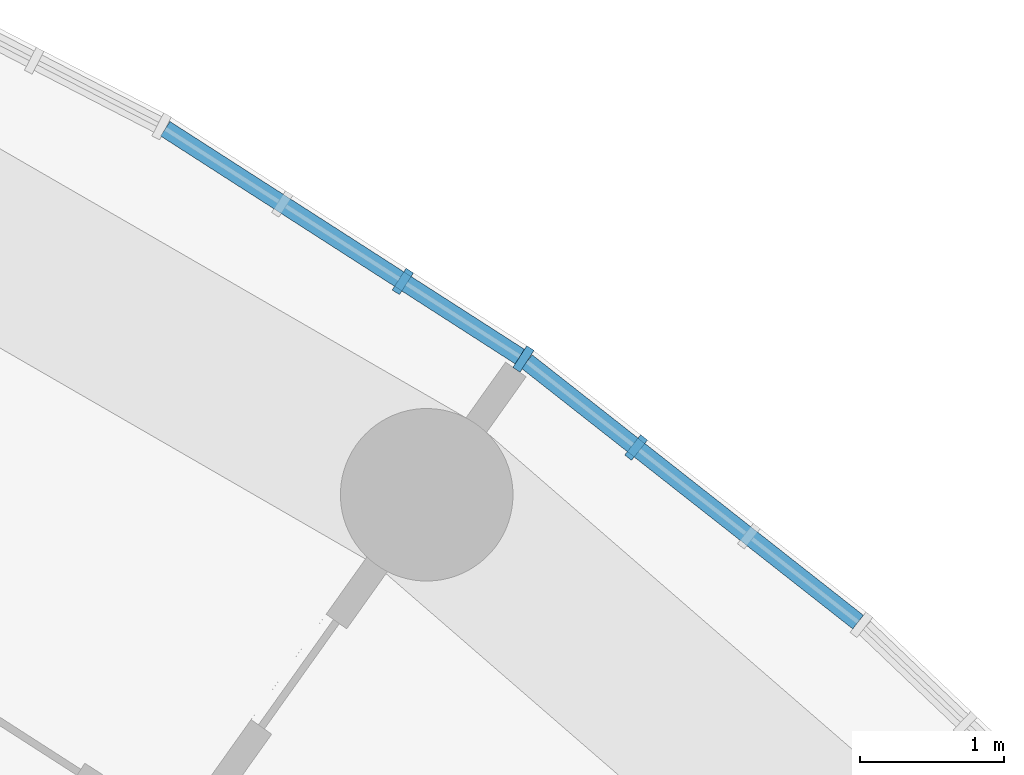
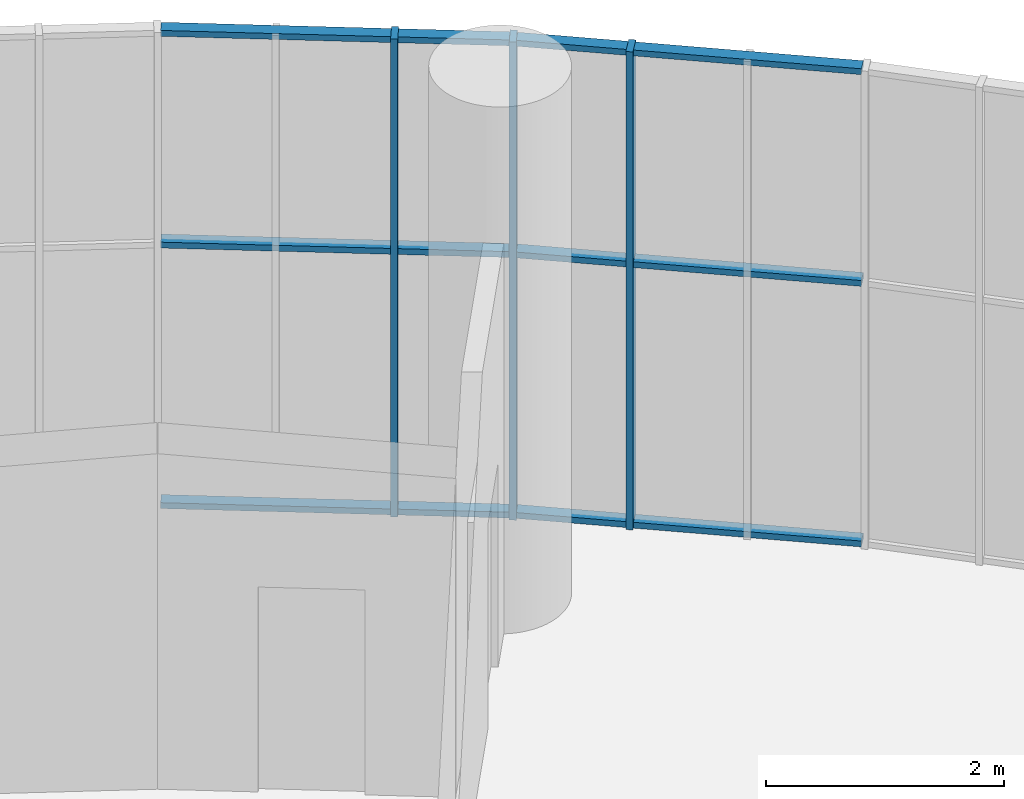
# One storey, part 11 of 27: 9 members, 2 elements without a shape of their own.
"""IFC4 building model written with IfcOpenShell, lengths in metres."""

from ifc_helpers import new_model, si_unit, direction, frame, origin, origin_2d, place, context, subcontext, project, spatial, rectangle, extrude, material, layer, layer_set, material_profile, profile_set, type_object, element, aggregate, save


model = new_model("IFC4")

# Units and contexts
model_context = context("Model", 3, precision=1e-05, world=origin(), true_north=direction((0.0, 1.0)))
body_context = subcontext(model_context, "Body", "Model", "MODEL_VIEW")
ifc_project = project(units=[si_unit("LENGTHUNIT", "METRE"), si_unit("AREAUNIT", "SQUARE_METRE"), si_unit("VOLUMEUNIT", "CUBIC_METRE"), si_unit("PLANEANGLEUNIT", "RADIAN"), si_unit("MASSUNIT", "GRAM", prefix="KILO")], contexts=[model_context])

# Site, building, storey
site_placement = place(None, origin())
site = spatial("IfcSite", under=ifc_project, at=site_placement, CompositionType="ELEMENT")
building_placement = place(site_placement, origin())
building = spatial("IfcBuilding", under=site, at=building_placement, Name="Tracery Tower", CompositionType="ELEMENT")
storey_placement = place(building_placement, frame((0.0, 0.0, 114.60009765625)))
storey = spatial("IfcBuildingStorey", under=building, at=storey_placement, Name="L29", CompositionType="ELEMENT", Elevation=114.60009765625)

# Curtain wall, member
ifc_material_1 = material(Name="Aluminium curtain wall with tinted glass", Category="aluminium")
ifc_layer = layer(ifc_material_1, 0.179931640625)
ifc_layer_set = layer_set([ifc_layer], Name="Sky lounge 1 tracery curtain wall")
curtain_wall_type = type_object("IfcCurtainWallType", Name="Sky lounge 1 tracery curtain wall", PredefinedType="NOTDEFINED", material=ifc_layer_set)
curtain_wall_1_placement = place(storey_placement, origin())
curtain_wall_1 = element("IfcCurtainWall", 1, at=curtain_wall_1_placement, inside=storey, type_object=curtain_wall_type, Name="Sky lounge 1 curtain wall run 10", PredefinedType="NOTDEFINED")
ifc_material_2 = material(Name="Aluminium, bronze anodised", Category="aluminium")
ifc_material_profile_1 = material_profile(ifc_material_2, rectangle(XDim=0.179931640625, YDim=0.06005859375, at=origin_2d()), Name="AL 60x180")
ifc_profile_set_1 = profile_set([ifc_material_profile_1], Name="Aluminium, bronze anodised")
member_type_1 = type_object("IfcMemberType", Name="Sky lounge 1 mullion 60 x 180", PredefinedType="MULLION", material=ifc_profile_set_1)
member_1_placement = place(storey_placement, frame((19.017578125, 24.989501953125, 0.0), z_axis=(0.0, 0.0, 1.0), x_axis=(-0.618158986223, -0.786053094741, 0.0)))
member_1 = element("IfcMember", 2, at=member_1_placement, type_object=member_type_1, Name="Sky lounge 1 curtain wall run 10 mullion 3", PredefinedType="MULLION", context=body_context, shape_type="SweptSolid", body=[
    extrude(rectangle(XDim=0.179931640625, YDim=0.06005859375, at=origin_2d()), origin(), (0.0, 0.0, 1.0), 4.89990234375),
])

# Curtain wall, members
curtain_wall_2_placement = place(storey_placement, origin())
curtain_wall_2 = element("IfcCurtainWall", 3, at=curtain_wall_2_placement, inside=storey, type_object=curtain_wall_type, Name="Sky lounge 1 curtain wall run 11", PredefinedType="NOTDEFINED")
member_2_placement = place(storey_placement, frame((18.23388671875, 25.605712890625, 0.0), z_axis=(0.0, 0.0, 1.0), x_axis=(-0.540640817452, -0.841253532834, 0.0)))
member_2 = element("IfcMember", 4, at=member_2_placement, type_object=member_type_1, Name="Sky lounge 1 curtain wall run 11 mullion 1", PredefinedType="MULLION", context=body_context, shape_type="SweptSolid", body=[
    extrude(rectangle(XDim=0.179931640625, YDim=0.06005859375, at=origin_2d()), origin(), (0.0, 0.0, 1.0), 4.89990234375),
])
member_3_placement = place(storey_placement, frame((17.39501953125, 26.144775390625, 0.0), z_axis=(0.0, 0.0, 1.0), x_axis=(-0.540640817452, -0.841253532834, 0.0)))
member_3 = element("IfcMember", 5, at=member_3_placement, type_object=member_type_1, Name="Sky lounge 1 curtain wall run 11 mullion 2", PredefinedType="MULLION", context=body_context, shape_type="SweptSolid", body=[
    extrude(rectangle(XDim=0.179931640625, YDim=0.06005859375, at=origin_2d()), origin(), (0.0, 0.0, 1.0), 4.89990234375),
])

# Member
ifc_material_3 = material(Name="Aluminium, bronze anodised", Category="aluminium")
ifc_material_profile_2 = material_profile(ifc_material_3, rectangle(XDim=0.1201171875, YDim=0.06005859375, at=origin_2d()), Name="AL 60x120")
ifc_profile_set_2 = profile_set([ifc_material_profile_2], Name="Aluminium, bronze anodised")
member_type_2 = type_object("IfcMemberType", Name="Sky lounge 1 transom 60 x 120", PredefinedType="USERDEFINED", material=ifc_profile_set_2)
member_4_placement = place(storey_placement, frame((20.5615234375, 23.775146484375, 0.02978515625), z_axis=(-0.786058162974, 0.618152541385, 0.0), x_axis=(-0.618152541385, -0.786058162974, 0.0)))
member_4 = element("IfcMember", 6, at=member_4_placement, type_object=member_type_2, Name="Sky lounge 1 curtain wall run 10 transom 1", ObjectType="TRANSOM", PredefinedType="USERDEFINED", context=body_context, shape_type="SweptSolid", body=[
    extrude(rectangle(XDim=0.1201171875, YDim=0.06005859375, at=origin_2d()), origin(), (0.0, 0.0, 1.0), 2.931396484375),
])

member_5_placement = place(storey_placement, frame((20.5615234375, 23.775146484375, 2.699951171875), z_axis=(-0.786058162974, 0.618152541385, 0.0), x_axis=(-0.618152541385, -0.786058162974, 0.0)))
member_5 = element("IfcMember", 7, at=member_5_placement, type_object=member_type_2, Name="Sky lounge 1 curtain wall run 10 transom 2", ObjectType="TRANSOM", PredefinedType="USERDEFINED", context=body_context, shape_type="SweptSolid", body=[
    extrude(rectangle(XDim=0.1201171875, YDim=0.06005859375, at=origin_2d()), origin(), (0.0, 0.0, 1.0), 2.931396484375),
])

member_6_placement = place(storey_placement, frame((20.5615234375, 23.775146484375, 4.869873046875), z_axis=(-0.786058162974, 0.618152541385, 0.0), x_axis=(-0.618152541385, -0.786058162974, 0.0)))
member_6 = element("IfcMember", 8, at=member_6_placement, type_object=member_type_2, Name="Sky lounge 1 curtain wall run 10 transom 3", ObjectType="TRANSOM", PredefinedType="USERDEFINED", context=body_context, shape_type="SweptSolid", body=[
    extrude(rectangle(XDim=0.1201171875, YDim=0.06005859375, at=origin_2d()), origin(), (0.0, 0.0, 1.0), 2.931396484375),
])

aggregate(curtain_wall_1, [member_1, member_4, member_5, member_6])

member_7_placement = place(storey_placement, frame((18.20849609375, 25.6220703125, 0.02978515625), z_axis=(-0.841273174136, 0.540610253768, 0.0), x_axis=(-0.540610253768, -0.841273174136, 0.0)))
member_7 = element("IfcMember", 9, at=member_7_placement, type_object=member_type_2, Name="Sky lounge 1 curtain wall run 11 transom 1", ObjectType="TRANSOM", PredefinedType="USERDEFINED", context=body_context, shape_type="SweptSolid", body=[
    extrude(rectangle(XDim=0.1201171875, YDim=0.06005859375, at=origin_2d()), origin(), (0.0, 0.0, 1.0), 2.931396484375),
])

member_8_placement = place(storey_placement, frame((18.20849609375, 25.6220703125, 2.699951171875), z_axis=(-0.841273174136, 0.540610253768, 0.0), x_axis=(-0.540610253768, -0.841273174136, 0.0)))
member_8 = element("IfcMember", 10, at=member_8_placement, type_object=member_type_2, Name="Sky lounge 1 curtain wall run 11 transom 2", ObjectType="TRANSOM", PredefinedType="USERDEFINED", context=body_context, shape_type="SweptSolid", body=[
    extrude(rectangle(XDim=0.1201171875, YDim=0.06005859375, at=origin_2d()), origin(), (0.0, 0.0, 1.0), 2.931396484375),
])

member_9_placement = place(storey_placement, frame((18.20849609375, 25.6220703125, 4.869873046875), z_axis=(-0.841273174136, 0.540610253768, 0.0), x_axis=(-0.540610253768, -0.841273174136, 0.0)))
member_9 = element("IfcMember", 11, at=member_9_placement, type_object=member_type_2, Name="Sky lounge 1 curtain wall run 11 transom 3", ObjectType="TRANSOM", PredefinedType="USERDEFINED", context=body_context, shape_type="SweptSolid", body=[
    extrude(rectangle(XDim=0.1201171875, YDim=0.06005859375, at=origin_2d()), origin(), (0.0, 0.0, 1.0), 2.931396484375),
])

aggregate(curtain_wall_2, [member_2, member_3, member_7, member_8, member_9])

save(model, "model.ifc")
